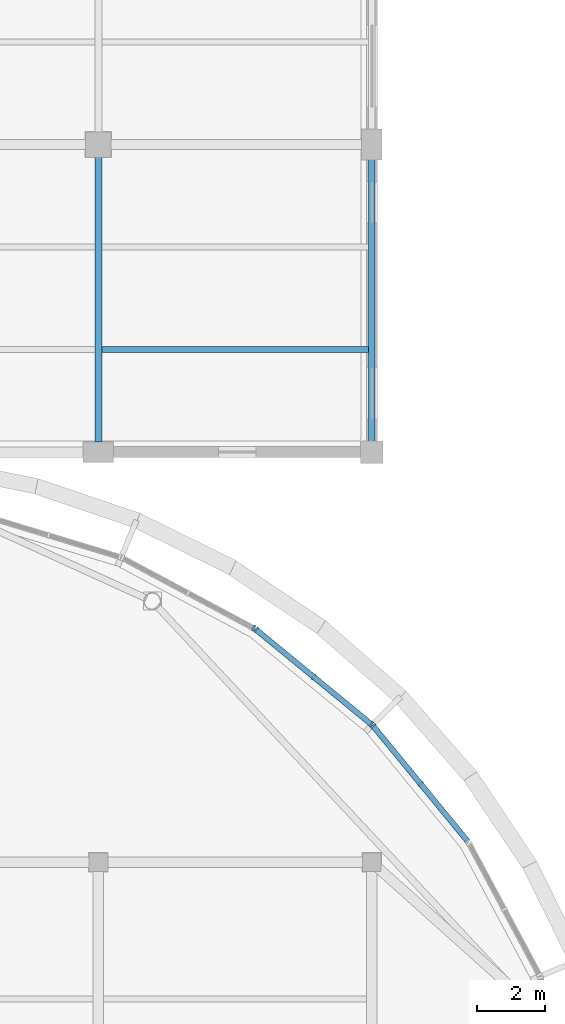
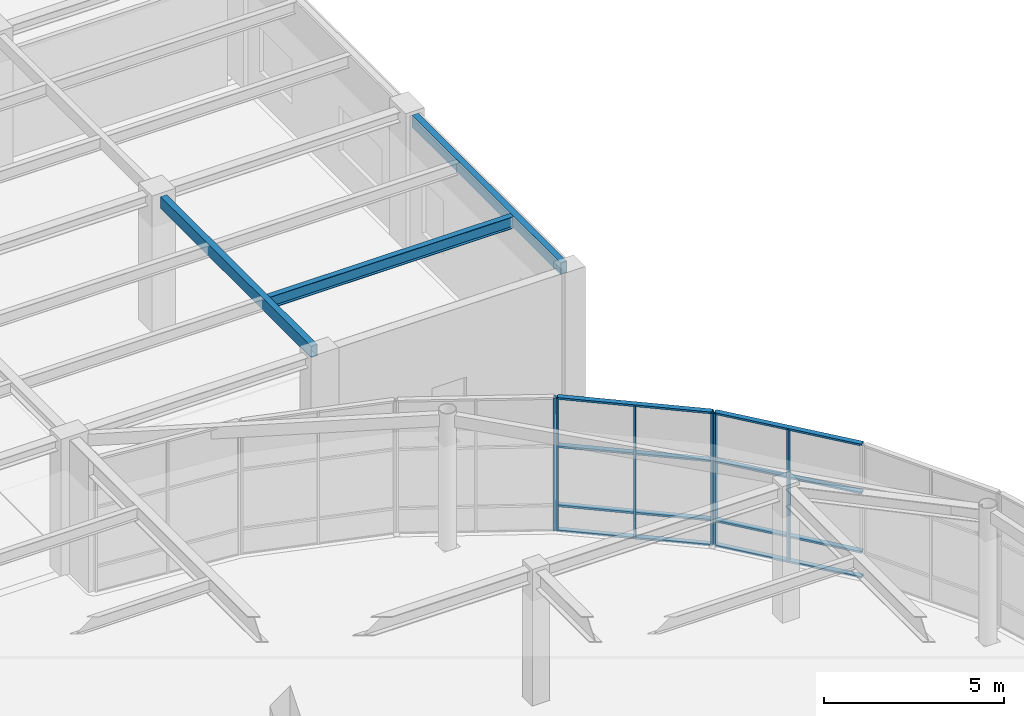
# One storey, part 32 of 72: 14 members, 3 beams, 3 elements without a shape of their own.
"""IFC4 building model written with IfcOpenShell, lengths in metres."""

import ifcopenshell
import ifcopenshell.guid

model = None  # the IFC model being written
_history = None  # IfcOwnerHistory: only IFC2X3 demands one
_inside = {}  # id of a spatial element -> (the spatial element, [elements in it])
_under = {}  # id of a project, library or spatial element -> (it, [spatial elements below it])
_declared = {}  # id of a project -> (the project, [libraries it declares])
_typed = {}  # id of a type object -> (the type object, [elements of that type])
_made_of = {}  # id of a material, layer set ... -> (it, [elements and type objects made of it])


def new_model(schema):
    """Start an empty IFC model of exactly this schema.

    Asked for "IFC4X3", IfcOpenShell would pick the latest addendum, in which some entities
    have other attributes; the version numbers below select the first issue.
    IFC2X3 requires an IfcOwnerHistory on every rooted entity: one is made here for all.
    """
    global model, _history
    if schema == "IFC4X3":
        model = ifcopenshell.file(schema_version=(4, 3, 0, 0))
    else:
        model = ifcopenshell.file(schema=schema)
    _inside.clear()
    _under.clear()
    _declared.clear()
    _typed.clear()
    _made_of.clear()
    _history = None
    if model.schema == "IFC2X3":
        org = make("IfcOrganization", Name="unknown")
        user = make(
            "IfcPersonAndOrganization",
            ThePerson=make("IfcPerson", FamilyName="unknown"),
            TheOrganization=org,
        )
        app = make(
            "IfcApplication",
            ApplicationDeveloper=org,
            Version="unknown",
            ApplicationFullName="unknown",
            ApplicationIdentifier="unknown",
        )
        _history = make(
            "IfcOwnerHistory",
            OwningUser=user,
            OwningApplication=app,
            ChangeAction="ADDED",
            CreationDate=0,
        )
    return model


def make(cls, **values):
    """One entity of the class cls with the attributes given. An attribute that is None is left unset."""
    return model.create_entity(
        cls, **{name: value for name, value in values.items() if value is not None}
    )


def rooted(cls, **values):
    """An entity with a GlobalId (a new one), such as an element, a storey or a relation."""
    return make(cls, GlobalId=ifcopenshell.guid.new(), OwnerHistory=_history, **values)


def si_unit(unit_type, name, prefix=None):
    """IfcSIUnit, for example si_unit("LENGTHUNIT", "METRE", prefix="MILLI")."""
    return make("IfcSIUnit", UnitType=unit_type, Prefix=prefix, Name=name)


def assignment(units):
    """IfcUnitAssignment: the units of a project."""
    return None if units is None else make("IfcUnitAssignment", Units=units)


def point(xyz):
    """IfcCartesianPoint."""
    return None if xyz is None else make("IfcCartesianPoint", Coordinates=xyz)


def direction(xyz):
    """IfcDirection."""
    return None if xyz is None else make("IfcDirection", DirectionRatios=xyz)


def frame(location, z_axis=None, x_axis=None):
    """IfcAxis2Placement3D, a coordinate frame: its origin and axes. An axis left out is left unset."""
    return make(
        "IfcAxis2Placement3D",
        Location=point(location),
        Axis=direction(z_axis),
        RefDirection=direction(x_axis),
    )


def frame_2d(location, x_axis=None):
    """IfcAxis2Placement2D, a coordinate frame in the plane: its origin and x axis."""
    return make(
        "IfcAxis2Placement2D", Location=point(location), RefDirection=direction(x_axis)
    )


def origin():
    """The frame at (0, 0, 0) with its axes left unset."""
    return frame((0.0, 0.0, 0.0))


def origin_2d():
    """The frame at (0, 0) in the plane with its x axis left unset."""
    return frame_2d((0.0, 0.0))


def place(relative_to, where):
    """IfcLocalPlacement: puts the frame where relative to a parent placement (None: the world)."""
    return make(
        "IfcLocalPlacement", PlacementRelTo=relative_to, RelativePlacement=where
    )


def context(
    kind, dimensions, precision=None, world=None, true_north=None, identifier=None
):
    """IfcGeometricRepresentationContext, for example the 3D "Model" context."""
    return make(
        "IfcGeometricRepresentationContext",
        ContextIdentifier=identifier,
        ContextType=kind,
        CoordinateSpaceDimension=dimensions,
        Precision=precision,
        WorldCoordinateSystem=world,
        TrueNorth=true_north,
    )


def subcontext(parent, identifier, kind, view, scale=None):
    """IfcGeometricRepresentationSubContext, for example "Body" below "Model"."""
    return make(
        "IfcGeometricRepresentationSubContext",
        ContextIdentifier=identifier,
        ContextType=kind,
        ParentContext=parent,
        TargetScale=scale,
        TargetView=view,
    )


def project(units=None, contexts=None):
    """IfcProject with its units and contexts."""
    return rooted(
        "IfcProject",
        Name="project",
        RepresentationContexts=contexts,
        UnitsInContext=assignment(units),
    )


def spatial(cls, under=None, at=None, **own):
    """A site, building, storey or space (cls), placed at a placement, below another one or the project."""
    s = rooted(cls, ObjectPlacement=at, **own)
    if under is not None:
        _under.setdefault(under.id(), (under, []))[1].append(s)
    return s


def profile(cls, at=None, kind="AREA", **sizes):
    """A parametric profile (cls). Its sizes go by their IFC names, for example OverallWidth=200.0."""
    return make(cls, ProfileType=kind, Position=at, **sizes)


def rectangle(**sizes):
    """IfcRectangleProfileDef."""
    return profile("IfcRectangleProfileDef", **sizes)


def hollow_rectangle(**sizes):
    """IfcRectangleHollowProfileDef."""
    return profile("IfcRectangleHollowProfileDef", **sizes)


def i_section(**sizes):
    """IfcIShapeProfileDef."""
    return profile("IfcIShapeProfileDef", **sizes)


def extrude(swept, where, along, depth):
    """IfcExtrudedAreaSolid: the profile swept, set in the frame where, extruded along a direction by depth."""
    return make(
        "IfcExtrudedAreaSolid",
        SweptArea=swept,
        Position=where,
        ExtrudedDirection=direction(along),
        Depth=depth,
    )


def shape(context_of_items, identifier, shape_type, items):
    """IfcShapeRepresentation: the items that make up one representation, for example the "Body"."""
    return make(
        "IfcShapeRepresentation",
        ContextOfItems=context_of_items,
        RepresentationIdentifier=identifier,
        RepresentationType=shape_type,
        Items=items,
    )


def material(Name=None, Category=None):
    """IfcMaterial."""
    return make("IfcMaterial", Name=Name, Category=Category)


def layer(
    of_material, thickness, ventilated=None, Name=None, Category=None, Priority=None
):
    """IfcMaterialLayer: one layer of a wall or slab, of a material (None: an air gap)."""
    return make(
        "IfcMaterialLayer",
        Material=of_material,
        LayerThickness=thickness,
        IsVentilated=ventilated,
        Name=Name,
        Category=Category,
        Priority=Priority,
    )


def layer_set(layers, Name=None):
    """IfcMaterialLayerSet."""
    return make("IfcMaterialLayerSet", MaterialLayers=layers, LayerSetName=Name)


def material_profile(
    of_material, cross_section, Name=None, Category=None, Priority=None
):
    """IfcMaterialProfile: a cross section and its material."""
    return make(
        "IfcMaterialProfile",
        Name=Name,
        Material=of_material,
        Profile=cross_section,
        Priority=Priority,
        Category=Category,
    )


def profile_set(profiles, Name=None, composite=None):
    """IfcMaterialProfileSet."""
    return make(
        "IfcMaterialProfileSet",
        Name=Name,
        MaterialProfiles=profiles,
        CompositeProfile=composite,
    )


def made_of(thing, what):
    """Note that an element or type object is made of a material, layer set ...; save() writes the relation."""
    if what is not None:
        _made_of.setdefault(what.id(), (what, []))[1].append(thing)
    return thing


def type_object(cls, material=None, **own):
    """A type object (cls), such as IfcWallType, which elements share."""
    return made_of(rooted(cls, **own), material)


def element(
    cls,
    number,
    at=None,
    inside=None,
    cuts=None,
    type_object=None,
    material=None,
    context=None,
    identifier="Body",
    shape_type=None,
    held_by="IfcProductDefinitionShape",
    body=None,
    shapes=None,
    **own,
):
    """One element of the class cls, such as IfcWall. Its Tag is "e" and its number.

    at: its placement. inside: the storey or other place that contains it. cuts: it is an
    opening in that element (IfcRelVoidsElement). A single representation is given by context,
    identifier, shape_type and body (its items); several are given by shapes. held_by: the class
    of the entity that holds the representations. save() writes the other relations.
    """
    e = rooted(cls, Tag="e%d" % number, ObjectPlacement=at, **own)
    if body is not None:
        shapes = [shape(context, identifier, shape_type, body)]
    if shapes is not None:
        e.Representation = make(held_by, Representations=shapes)
    if inside is not None:
        _inside.setdefault(inside.id(), (inside, []))[1].append(e)
    if cuts is not None:
        rooted(
            "IfcRelVoidsElement", RelatingBuildingElement=cuts, RelatedOpeningElement=e
        )
    if type_object is not None:
        _typed.setdefault(type_object.id(), (type_object, []))[1].append(e)
    return made_of(e, material)


def aggregate(whole, parts):
    """IfcRelAggregates: a whole, such as a stair, and the parts it consists of."""
    return rooted("IfcRelAggregates", RelatingObject=whole, RelatedObjects=parts)


def save(model, path):
    """Write the relations noted so far, then the file.

    IfcRelAggregates (storeys below a building ...), IfcRelContainedInSpatialStructure (elements
    in a storey), IfcRelDefinesByType, IfcRelAssociatesMaterial and IfcRelDeclares: one each for
    every whole, place, type object, material and project.
    """
    for whole, parts in _under.values():
        aggregate(whole, parts)
    for where, things in _inside.values():
        rooted(
            "IfcRelContainedInSpatialStructure",
            RelatedElements=things,
            RelatingStructure=where,
        )
    for kind, things in _typed.values():
        rooted("IfcRelDefinesByType", RelatedObjects=things, RelatingType=kind)
    for what, things in _made_of.values():
        rooted("IfcRelAssociatesMaterial", RelatedObjects=things, RelatingMaterial=what)
    for by, libraries in _declared.values():
        rooted("IfcRelDeclares", RelatingContext=by, RelatedDefinitions=libraries)
    model.write(path)


model = new_model("IFC4")

# Units and contexts
model_context = context("Model", 3, precision=1e-05, world=origin(), true_north=direction((0.0, 1.0)))
body_context = subcontext(model_context, "Body", "Model", "MODEL_VIEW")
ifc_project = project(units=[si_unit("LENGTHUNIT", "METRE"), si_unit("AREAUNIT", "SQUARE_METRE"), si_unit("VOLUMEUNIT", "CUBIC_METRE"), si_unit("PLANEANGLEUNIT", "RADIAN"), si_unit("MASSUNIT", "GRAM", prefix="KILO")], contexts=[model_context])

# Site, building, storey
site_placement = place(None, origin())
site = spatial("IfcSite", under=ifc_project, at=site_placement, CompositionType="ELEMENT")
building_placement = place(site_placement, origin())
building = spatial("IfcBuilding", under=site, at=building_placement, Name="Keelwater Ferry Terminal", CompositionType="ELEMENT")
storey_placement = place(building_placement, frame((0.0, 0.0, 5.39990234375)))
storey = spatial("IfcBuildingStorey", under=building, at=storey_placement, Name="L01", CompositionType="ELEMENT", Elevation=5.39990234375)

# Curtain wall, members
ifc_material_1 = material(Name="Thermally broken unitised aluminium and triple glass", Category="aluminium")
ifc_layer = layer(ifc_material_1, 0.179931640625)
ifc_layer_set = layer_set([ifc_layer], Name="Thermally broken unitised aluminium and triple glass")
curtain_wall_type = type_object("IfcCurtainWallType", Name="CW-19 Unitised Curtain Wall 4350x4480", PredefinedType="USERDEFINED", material=ifc_layer_set)
curtain_wall_1_placement = place(storey_placement, origin())
curtain_wall_1 = element("IfcCurtainWall", 1, at=curtain_wall_1_placement, inside=storey, type_object=curtain_wall_type, Name="Unitised Curtain Wall CW-L01-136", ObjectType="UNITISED CURTAIN WALL", PredefinedType="USERDEFINED")
ifc_material_2 = material(Name="Aluminium mullion", Category="aluminium")
ifc_material_profile_1 = material_profile(ifc_material_2, rectangle(XDim=0.06494140625, YDim=0.179931640625, at=origin_2d()), Name="CWM-01")
ifc_profile_set_1 = profile_set([ifc_material_profile_1], Name="Aluminium mullion")
member_type_1 = type_object("IfcMemberType", Name="CWM-01 Curtain Mullion 65x180", PredefinedType="MULLION", material=ifc_profile_set_1)
member_1_placement = place(storey_placement, frame((181.424560546875, 80.300048828125, 0.0), z_axis=(0.0, 0.0, 1.0), x_axis=(-0.634376508991, 0.773024220086, 0.0)))
member_1 = element("IfcMember", 2, at=member_1_placement, type_object=member_type_1, Name="CW-L01-136 Mullion 2", PredefinedType="MULLION", context=body_context, shape_type="SweptSolid", body=[
    extrude(rectangle(XDim=0.06494140625, YDim=0.179931640625, at=origin_2d()), origin(), (0.0, 0.0, 1.0), 4.47998046875),
])
member_2_placement = place(storey_placement, frame((180.044921875, 81.98095703125, 0.0), z_axis=(0.0, 0.0, 1.0), x_axis=(-0.634376508991, 0.773024220086, 0.0)))
member_2 = element("IfcMember", 3, at=member_2_placement, type_object=member_type_1, Name="CW-L01-136 Mullion 3", PredefinedType="MULLION", context=body_context, shape_type="SweptSolid", body=[
    extrude(rectangle(XDim=0.06494140625, YDim=0.179931640625, at=origin_2d()), origin(), (0.0, 0.0, 1.0), 4.47998046875),
])

curtain_wall_2_placement = place(storey_placement, origin())
curtain_wall_2 = element("IfcCurtainWall", 4, at=curtain_wall_2_placement, inside=storey, type_object=curtain_wall_type, Name="Unitised Curtain Wall CW-L01-137", ObjectType="UNITISED CURTAIN WALL", PredefinedType="USERDEFINED")
member_3_placement = place(storey_placement, frame((179.98095703125, 82.044921875, 0.0), z_axis=(0.0, 0.0, 1.0), x_axis=(-0.773024220086, 0.634376508991, 0.0)))
member_3 = element("IfcMember", 5, at=member_3_placement, type_object=member_type_1, Name="CW-L01-137 Mullion 1", PredefinedType="MULLION", context=body_context, shape_type="SweptSolid", body=[
    extrude(rectangle(XDim=0.06494140625, YDim=0.179931640625, at=origin_2d()), origin(), (0.0, 0.0, 1.0), 4.47998046875),
])
member_4_placement = place(storey_placement, frame((178.300048828125, 83.424560546875, 0.0), z_axis=(0.0, 0.0, 1.0), x_axis=(-0.773024220086, 0.634376508991, 0.0)))
member_4 = element("IfcMember", 6, at=member_4_placement, type_object=member_type_1, Name="CW-L01-137 Mullion 2", PredefinedType="MULLION", context=body_context, shape_type="SweptSolid", body=[
    extrude(rectangle(XDim=0.06494140625, YDim=0.179931640625, at=origin_2d()), origin(), (0.0, 0.0, 1.0), 4.47998046875),
])
member_5_placement = place(storey_placement, frame((176.618896484375, 84.803955078125, 0.0), z_axis=(0.0, 0.0, 1.0), x_axis=(-0.773024220086, 0.634376508991, 0.0)))
member_5 = element("IfcMember", 7, at=member_5_placement, type_object=member_type_1, Name="CW-L01-137 Mullion 3", PredefinedType="MULLION", context=body_context, shape_type="SweptSolid", body=[
    extrude(rectangle(XDim=0.06494140625, YDim=0.179931640625, at=origin_2d()), origin(), (0.0, 0.0, 1.0), 4.47998046875),
])

# Curtain wall, member
curtain_wall_3_placement = place(storey_placement, origin())
curtain_wall_3 = element("IfcCurtainWall", 8, at=curtain_wall_3_placement, inside=storey, type_object=curtain_wall_type, Name="Unitised Curtain Wall CW-L01-138", ObjectType="UNITISED CURTAIN WALL", PredefinedType="USERDEFINED")
member_6_placement = place(storey_placement, frame((176.5439453125, 84.85400390625, 0.0), z_axis=(0.0, 0.0, 1.0), x_axis=(-0.881862452632, 0.471506749303, 0.0)))
member_6 = element("IfcMember", 9, at=member_6_placement, type_object=member_type_1, Name="CW-L01-138 Mullion 1", PredefinedType="MULLION", context=body_context, shape_type="SweptSolid", body=[
    extrude(rectangle(XDim=0.06494140625, YDim=0.179931640625, at=origin_2d()), origin(), (0.0, 0.0, 1.0), 4.47998046875),
])
aggregate(curtain_wall_3, [member_6])

# Member
ifc_material_3 = material(Name="Aluminium mullion", Category="aluminium")
ifc_material_profile_2 = material_profile(ifc_material_3, rectangle(XDim=0.159912109375, YDim=0.06494140625, at=origin_2d()), Name="CWT-01")
ifc_profile_set_2 = profile_set([ifc_material_profile_2], Name="Aluminium mullion")
member_type_2 = type_object("IfcMemberType", Name="CWT-01 Curtain Transom 65x160", PredefinedType="USERDEFINED", material=ifc_profile_set_2)
member_7_placement = place(storey_placement, frame((182.803955078125, 78.618896484375, 0.0), z_axis=(-0.634374244118, 0.773026078732, 0.0), x_axis=(-0.773026078732, -0.634374244118, 0.0)))
member_7 = element("IfcMember", 10, at=member_7_placement, type_object=member_type_2, Name="CW-L01-136 Transom 1", ObjectType="TRANSOM", PredefinedType="USERDEFINED", context=body_context, shape_type="SweptSolid", body=[
    extrude(rectangle(XDim=0.159912109375, YDim=0.06494140625, at=origin_2d()), origin(), (0.0, 0.0, 1.0), 4.34912109375),
])

member_8_placement = place(storey_placement, frame((182.803955078125, 78.618896484375, 0.85009765625), z_axis=(-0.634374244118, 0.773026078732, 0.0), x_axis=(-0.773026078732, -0.634374244118, 0.0)))
member_8 = element("IfcMember", 11, at=member_8_placement, type_object=member_type_2, Name="CW-L01-136 Transom 2", ObjectType="TRANSOM", PredefinedType="USERDEFINED", context=body_context, shape_type="SweptSolid", body=[
    extrude(rectangle(XDim=0.159912109375, YDim=0.06494140625, at=origin_2d()), origin(), (0.0, 0.0, 1.0), 4.34912109375),
])

member_9_placement = place(storey_placement, frame((182.803955078125, 78.618896484375, 2.85009765625), z_axis=(-0.634374244118, 0.773026078732, 0.0), x_axis=(-0.773026078732, -0.634374244118, 0.0)))
member_9 = element("IfcMember", 12, at=member_9_placement, type_object=member_type_2, Name="CW-L01-136 Transom 3", ObjectType="TRANSOM", PredefinedType="USERDEFINED", context=body_context, shape_type="SweptSolid", body=[
    extrude(rectangle(XDim=0.159912109375, YDim=0.06494140625, at=origin_2d()), origin(), (0.0, 0.0, 1.0), 4.34912109375),
])

member_10_placement = place(storey_placement, frame((182.803955078125, 78.618896484375, 4.47998046875), z_axis=(-0.634374244118, 0.773026078732, 0.0), x_axis=(-0.773026078732, -0.634374244118, 0.0)))
member_10 = element("IfcMember", 13, at=member_10_placement, type_object=member_type_2, Name="CW-L01-136 Transom 4", ObjectType="TRANSOM", PredefinedType="USERDEFINED", context=body_context, shape_type="SweptSolid", body=[
    extrude(rectangle(XDim=0.159912109375, YDim=0.06494140625, at=origin_2d()), origin(), (0.0, 0.0, 1.0), 4.34912109375),
])

aggregate(curtain_wall_1, [member_1, member_2, member_7, member_8, member_9, member_10])

member_11_placement = place(storey_placement, frame((179.98095703125, 82.044921875, 0.0), z_axis=(-0.773026078732, 0.634374244118, 0.0), x_axis=(-0.634374244118, -0.773026078732, 0.0)))
member_11 = element("IfcMember", 14, at=member_11_placement, type_object=member_type_2, Name="CW-L01-137 Transom 1", ObjectType="TRANSOM", PredefinedType="USERDEFINED", context=body_context, shape_type="SweptSolid", body=[
    extrude(rectangle(XDim=0.159912109375, YDim=0.06494140625, at=origin_2d()), origin(), (0.0, 0.0, 1.0), 4.34912109375),
])

member_12_placement = place(storey_placement, frame((179.98095703125, 82.044921875, 0.85009765625), z_axis=(-0.773026078732, 0.634374244118, 0.0), x_axis=(-0.634374244118, -0.773026078732, 0.0)))
member_12 = element("IfcMember", 15, at=member_12_placement, type_object=member_type_2, Name="CW-L01-137 Transom 2", ObjectType="TRANSOM", PredefinedType="USERDEFINED", context=body_context, shape_type="SweptSolid", body=[
    extrude(rectangle(XDim=0.159912109375, YDim=0.06494140625, at=origin_2d()), origin(), (0.0, 0.0, 1.0), 4.34912109375),
])

member_13_placement = place(storey_placement, frame((179.98095703125, 82.044921875, 2.85009765625), z_axis=(-0.773026078732, 0.634374244118, 0.0), x_axis=(-0.634374244118, -0.773026078732, 0.0)))
member_13 = element("IfcMember", 16, at=member_13_placement, type_object=member_type_2, Name="CW-L01-137 Transom 3", ObjectType="TRANSOM", PredefinedType="USERDEFINED", context=body_context, shape_type="SweptSolid", body=[
    extrude(rectangle(XDim=0.159912109375, YDim=0.06494140625, at=origin_2d()), origin(), (0.0, 0.0, 1.0), 4.34912109375),
])

member_14_placement = place(storey_placement, frame((179.98095703125, 82.044921875, 4.47998046875), z_axis=(-0.773026078732, 0.634374244118, 0.0), x_axis=(-0.634374244118, -0.773026078732, 0.0)))
member_14 = element("IfcMember", 17, at=member_14_placement, type_object=member_type_2, Name="CW-L01-137 Transom 4", ObjectType="TRANSOM", PredefinedType="USERDEFINED", context=body_context, shape_type="SweptSolid", body=[
    extrude(rectangle(XDim=0.159912109375, YDim=0.06494140625, at=origin_2d()), origin(), (0.0, 0.0, 1.0), 4.34912109375),
])

aggregate(curtain_wall_2, [member_3, member_4, member_5, member_11, member_12, member_13, member_14])

# Beams
ifc_material_4 = material(Name="Steel S355", Category="steel")
ifc_material_profile_3 = material_profile(ifc_material_4, i_section(OverallWidth=0.179931640625, OverallDepth=0.39990234375, WebThickness=0.008544921875, FlangeThickness=0.013427734375, at=origin_2d()), Name="IPE 400")
ifc_profile_set_3 = profile_set([ifc_material_profile_3], Name="Steel S355")
beam_type_1 = type_object("IfcBeamType", Name="J5 IPE 400", PredefinedType="JOIST", material=ifc_profile_set_3)
beam_1_placement = place(storey_placement, frame((172.10009765625, 93.0, 4.320068359375), z_axis=(1.0, 0.0, 0.0), x_axis=(0.0, 1.0, 0.0)))
element("IfcBeam", 18, at=beam_1_placement, inside=storey, type_object=beam_type_1, Name="Beam BM-L01-0948", PredefinedType="JOIST", context=body_context, shape_type="SweptSolid", body=[
    extrude(i_section(OverallWidth=0.179931640625, OverallDepth=0.39990234375, WebThickness=0.008544921875, FlangeThickness=0.013427734375, at=origin_2d()), origin(), (0.0, 0.0, 1.0), 7.7998046875),
])
ifc_material_5 = material(Name="Steel S355", Category="steel")
ifc_material_profile_4 = material_profile(ifc_material_5, hollow_rectangle(XDim=0.199951171875, YDim=0.39990234375, WallThickness=0.01611328125, at=origin_2d()), Name="RHS 400x200x16")
ifc_profile_set_4 = profile_set([ifc_material_profile_4], Name="Steel S355")
beam_type_2 = type_object("IfcBeamType", Name="SP3E RHS 400x200x16", PredefinedType="SPANDREL", material=ifc_profile_set_4)
beam_2_placement = place(storey_placement, frame((172.0, 90.2939453125, 4.320068359375), z_axis=(0.0, 1.0, 0.0), x_axis=(-1.0, 0.0, 0.0)))
element("IfcBeam", 19, at=beam_2_placement, inside=storey, type_object=beam_type_2, Name="Beam BM-L01-0801", PredefinedType="SPANDREL", context=body_context, shape_type="SweptSolid", body=[
    extrude(hollow_rectangle(XDim=0.199951171875, YDim=0.39990234375, WallThickness=0.01611328125, at=origin_2d()), origin(), (0.0, 0.0, 1.0), 8.338134765625),
])
beam_3_placement = place(storey_placement, frame((180.0, 90.318115234375, 4.320068359375), z_axis=(0.0, 1.0, 0.0), x_axis=(-1.0, 0.0, 0.0)))
element("IfcBeam", 20, at=beam_3_placement, inside=storey, type_object=beam_type_2, Name="Beam BM-L01-0807", PredefinedType="SPANDREL", context=body_context, shape_type="SweptSolid", body=[
    extrude(hollow_rectangle(XDim=0.199951171875, YDim=0.39990234375, WallThickness=0.01611328125, at=origin_2d()), origin(), (0.0, 0.0, 1.0), 8.240966796875),
])

save(model, "model.ifc")
